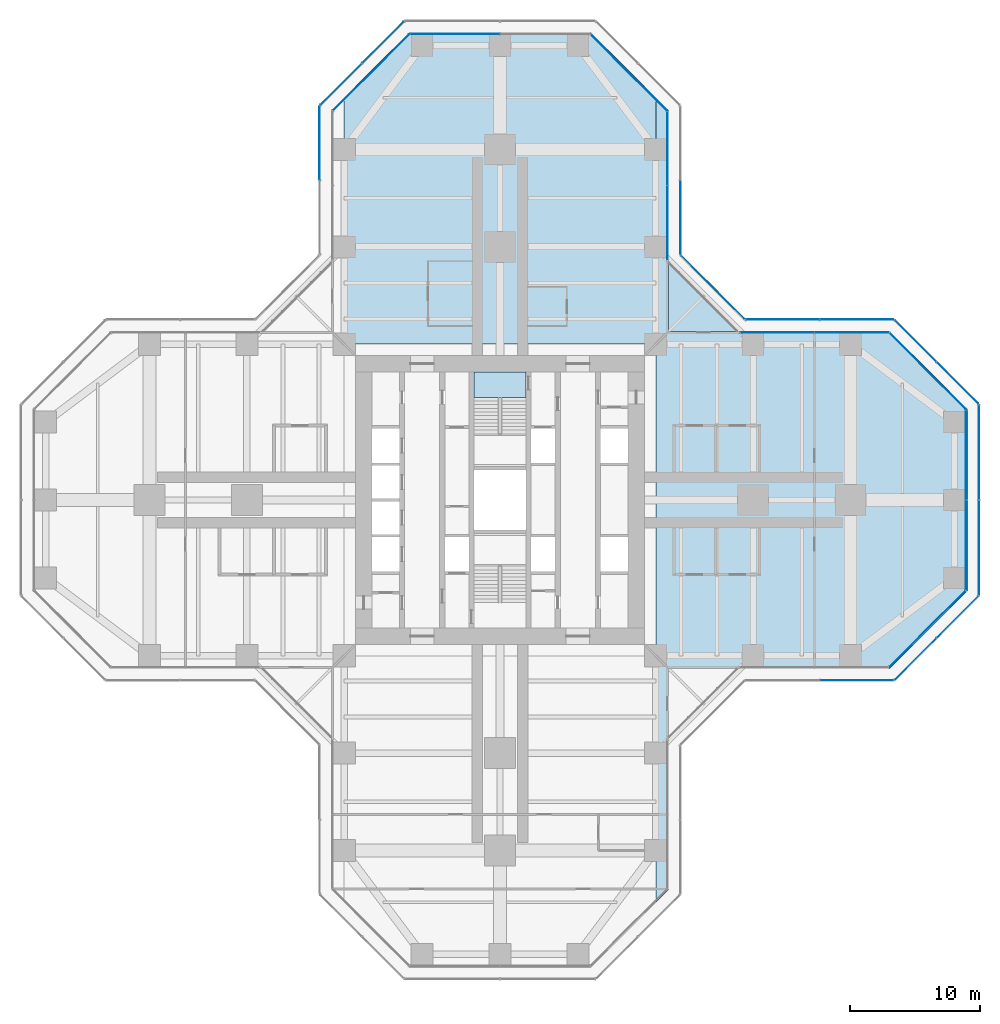
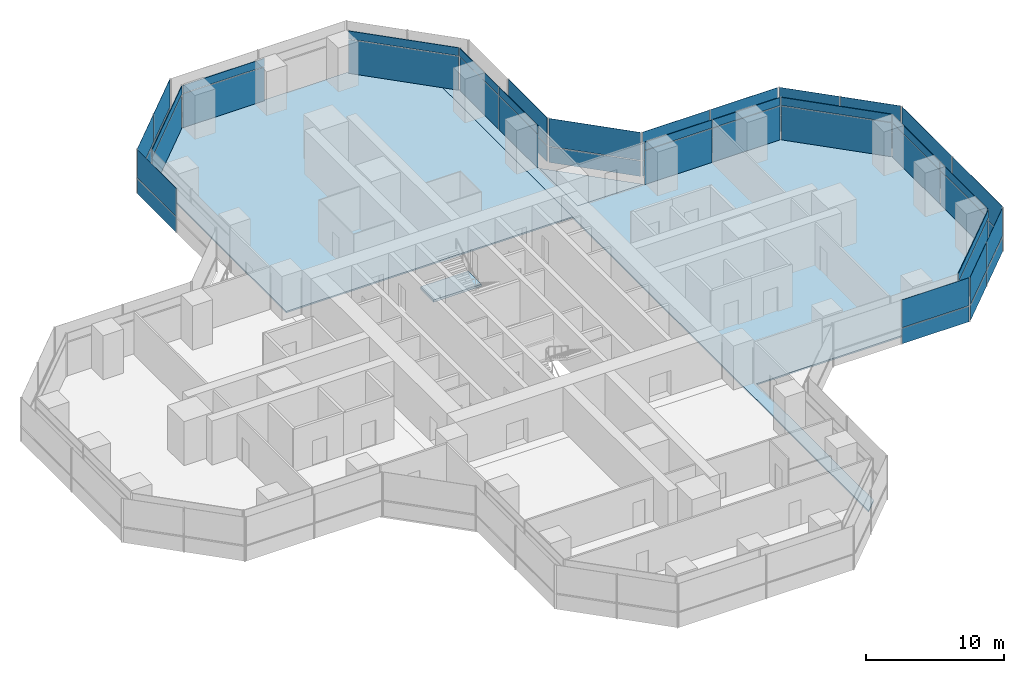
# One storey, part 16 of 22: 50 plates, 4 slabs, 18 elements without a shape of their own.
"""IFC4 building model written with IfcOpenShell, lengths in metres."""

from ifc_helpers import new_model, si_unit, direction, frame, origin, origin_2d, place, context, subcontext, project, spatial, polyline, rectangle, outline, extrude, material, layer, layer_set, type_object, element, aggregate, save


model = new_model("IFC4")

# Units and contexts
model_context = context("Model", 3, precision=1e-05, world=origin(), true_north=direction((0.0, 1.0)))
body_context = subcontext(model_context, "Body", "Model", "MODEL_VIEW")
ifc_project = project(units=[si_unit("LENGTHUNIT", "METRE"), si_unit("AREAUNIT", "SQUARE_METRE"), si_unit("VOLUMEUNIT", "CUBIC_METRE"), si_unit("PLANEANGLEUNIT", "RADIAN"), si_unit("MASSUNIT", "GRAM", prefix="KILO")], contexts=[model_context])

# Site, building, storey
site_placement = place(None, origin())
site = spatial("IfcSite", under=ifc_project, at=site_placement, CompositionType="ELEMENT")
building_placement = place(site_placement, origin())
building = spatial("IfcBuilding", under=site, at=building_placement, Name="Mizan Broadcast Tower", CompositionType="ELEMENT")
storey_placement = place(building_placement, frame((0.0, 0.0, 55.199951171875)))
storey = spatial("IfcBuildingStorey", under=building, at=storey_placement, Name="L10", CompositionType="ELEMENT", Elevation=55.199951171875)

# Slabs
ifc_material_1 = material(Name="Concrete C32/40", Category="concrete")
ifc_layer_1 = layer(ifc_material_1, 0.1298828125)
ifc_layer_set_1 = layer_set([ifc_layer_1], Name="Concrete C32/40")
slab_type_1 = type_object("IfcSlabType", Name="COMPOSITE DECK SLAB 130", PredefinedType="FLOOR", material=ifc_layer_set_1)
slab_1_placement = place(storey_placement, frame((0.0, 0.0, -0.1298828125)))
element("IfcSlab", 1, at=slab_1_placement, inside=storey, type_object=slab_type_1, Name="Floor slab L10 east arm", PredefinedType="FLOOR", context=body_context, shape_type="SweptSolid", body=[
    extrude(outline(polyline([(12.0, -31.0), (13.0, -30.0), (13.0, -13.0), (30.0, -13.0), (36.0, -7.0), (36.0, 7.0), (30.0, 13.0), (13.0, 13.0), (13.0, 30.0), (12.0, 31.0), (12.0, -31.0)])), origin(), (0.0, 0.0, 1.0), 0.1298828125),
])
slab_2_placement = place(storey_placement, frame((0.0, 0.0, -0.1298828125)))
element("IfcSlab", 2, at=slab_2_placement, inside=storey, type_object=slab_type_1, Name="Floor slab L10 north arm", PredefinedType="FLOOR", context=body_context, shape_type="SweptSolid", body=[
    extrude(outline(polyline([(-7.0, 36.0), (-12.0, 31.0), (-12.0, 12.0), (12.0, 12.0), (12.0, 31.0), (7.0, 36.0), (-7.0, 36.0)])), origin(), (0.0, 0.0, 1.0), 0.1298828125),
])

# Curtain wall, plate
ifc_material_2 = material(Name="Aluminium framed glazing", Category="aluminium")
curtain_wall_type_1 = type_object("IfcCurtainWallType", Name="INNER SKIN LOW ZONE", PredefinedType="USERDEFINED", material=ifc_material_2)
curtain_wall_1_placement = place(storey_placement, origin())
curtain_wall_1 = element("IfcCurtainWall", 3, at=curtain_wall_1_placement, inside=storey, type_object=curtain_wall_type_1, Name="Inner skin low zone L10 E chamfer", ObjectType="INNER SKIN LOW ZONE", PredefinedType="USERDEFINED")
ifc_material_3 = material(Name="Double glazing, clear low-e", Category="glass")
ifc_layer_2 = layer(ifc_material_3, 0.028076171875)
ifc_layer_set_2 = layer_set([ifc_layer_2], Name="Double glazing, clear low-e")
plate_type_1 = type_object("IfcPlateType", Name="INNER SKIN GLAZING UNIT", PredefinedType="CURTAIN_PANEL", material=ifc_layer_set_2)
plate_1_placement = place(storey_placement, frame((32.92919921875, -9.92919921875, 0.0), z_axis=(0.0, 0.0, 1.0), x_axis=(0.707106781187, 0.707106781187, 0.0)))
plate_1 = element("IfcPlate", 4, at=plate_1_placement, type_object=plate_type_1, Name="Inner skin low zone L10 E chamfer panel 1.1", PredefinedType="CURTAIN_PANEL", context=body_context, shape_type="SweptSolid", body=[
    extrude(rectangle(XDim=8.282470703125, YDim=0.028076171875, at=origin_2d()), origin(), (0.0, 0.0, 1.0), 3.0),
])

# Curtain wall, plates
curtain_wall_2_placement = place(storey_placement, origin())
curtain_wall_2 = element("IfcCurtainWall", 5, at=curtain_wall_2_placement, inside=storey, type_object=curtain_wall_type_1, Name="Inner skin low zone L10 E end", ObjectType="INNER SKIN LOW ZONE", PredefinedType="USERDEFINED")
plate_2_placement = place(storey_placement, frame((35.89990234375, -3.46435546875, 0.0), z_axis=(0.0, 0.0, 1.0), x_axis=(0.0, 1.0, 0.0)))
plate_2 = element("IfcPlate", 6, at=plate_2_placement, type_object=plate_type_1, Name="Inner skin low zone L10 E end panel 1.1", PredefinedType="CURTAIN_PANEL", context=body_context, shape_type="SweptSolid", body=[
    extrude(rectangle(XDim=6.86865234375, YDim=0.028076171875, at=origin_2d()), origin(), (0.0, 0.0, 1.0), 3.0),
])
plate_3_placement = place(storey_placement, frame((35.89990234375, 3.46435546875, 0.0), z_axis=(0.0, 0.0, 1.0), x_axis=(0.0, 1.0, 0.0)))
plate_3 = element("IfcPlate", 7, at=plate_3_placement, type_object=plate_type_1, Name="Inner skin low zone L10 E end panel 2.1", PredefinedType="CURTAIN_PANEL", context=body_context, shape_type="SweptSolid", body=[
    extrude(rectangle(XDim=6.86865234375, YDim=0.028076171875, at=origin_2d()), origin(), (0.0, 0.0, 1.0), 3.0),
])

# Curtain wall, plate
curtain_wall_3_placement = place(storey_placement, origin())
curtain_wall_3 = element("IfcCurtainWall", 8, at=curtain_wall_3_placement, inside=storey, type_object=curtain_wall_type_1, Name="Inner skin low zone L10 E chamfer", ObjectType="INNER SKIN LOW ZONE", PredefinedType="USERDEFINED")
plate_4_placement = place(storey_placement, frame((32.92919921875, 9.92919921875, 0.0), z_axis=(0.0, 0.0, 1.0), x_axis=(-0.707106781187, 0.707106781187, 0.0)))
plate_4 = element("IfcPlate", 9, at=plate_4_placement, type_object=plate_type_1, Name="Inner skin low zone L10 E chamfer panel 1.1", PredefinedType="CURTAIN_PANEL", context=body_context, shape_type="SweptSolid", body=[
    extrude(rectangle(XDim=8.282470703125, YDim=0.028076171875, at=origin_2d()), origin(), (0.0, 0.0, 1.0), 3.0),
])

# Curtain wall, plates
curtain_wall_4_placement = place(storey_placement, origin())
curtain_wall_4 = element("IfcCurtainWall", 10, at=curtain_wall_4_placement, inside=storey, type_object=curtain_wall_type_1, Name="Inner skin low zone L10 E side", ObjectType="INNER SKIN LOW ZONE", PredefinedType="USERDEFINED")
plate_5_placement = place(storey_placement, frame((27.078857421875, 12.89990234375, 0.0), z_axis=(0.0, 0.0, 1.0), x_axis=(-1.0, 0.0, 0.0)))
plate_5 = element("IfcPlate", 11, at=plate_5_placement, type_object=plate_type_1, Name="Inner skin low zone L10 E side panel 1.1", PredefinedType="CURTAIN_PANEL", context=body_context, shape_type="SweptSolid", body=[
    extrude(rectangle(XDim=5.639404296875, YDim=0.028076171875, at=origin_2d()), origin(), (0.0, 0.0, 1.0), 3.0),
])
plate_6_placement = place(storey_placement, frame((21.379638671875, 12.89990234375, 0.0), z_axis=(0.0, 0.0, 1.0), x_axis=(-1.0, 0.0, 0.0)))
plate_6 = element("IfcPlate", 12, at=plate_6_placement, type_object=plate_type_1, Name="Inner skin low zone L10 E side panel 2.1", PredefinedType="CURTAIN_PANEL", context=body_context, shape_type="SweptSolid", body=[
    extrude(rectangle(XDim=5.639404296875, YDim=0.028076171875, at=origin_2d()), origin(), (0.0, 0.0, 1.0), 3.0),
])

curtain_wall_5_placement = place(storey_placement, origin())
curtain_wall_5 = element("IfcCurtainWall", 13, at=curtain_wall_5_placement, inside=storey, type_object=curtain_wall_type_1, Name="Inner skin low zone L10 N side", ObjectType="INNER SKIN LOW ZONE", PredefinedType="USERDEFINED")
plate_7_placement = place(storey_placement, frame((12.89990234375, 21.379638671875, 0.0), z_axis=(0.0, 0.0, 1.0), x_axis=(0.0, 1.0, 0.0)))
plate_7 = element("IfcPlate", 14, at=plate_7_placement, type_object=plate_type_1, Name="Inner skin low zone L10 N side panel 1.1", PredefinedType="CURTAIN_PANEL", context=body_context, shape_type="SweptSolid", body=[
    extrude(rectangle(XDim=5.639404296875, YDim=0.028076171875, at=origin_2d()), origin(), (0.0, 0.0, 1.0), 3.0),
])
plate_8_placement = place(storey_placement, frame((12.89990234375, 27.078857421875, 0.0), z_axis=(0.0, 0.0, 1.0), x_axis=(0.0, 1.0, 0.0)))
plate_8 = element("IfcPlate", 15, at=plate_8_placement, type_object=plate_type_1, Name="Inner skin low zone L10 N side panel 2.1", PredefinedType="CURTAIN_PANEL", context=body_context, shape_type="SweptSolid", body=[
    extrude(rectangle(XDim=5.639404296875, YDim=0.028076171875, at=origin_2d()), origin(), (0.0, 0.0, 1.0), 3.0),
])

# Curtain wall, plate
curtain_wall_6_placement = place(storey_placement, origin())
curtain_wall_6 = element("IfcCurtainWall", 16, at=curtain_wall_6_placement, inside=storey, type_object=curtain_wall_type_1, Name="Inner skin low zone L10 N chamfer", ObjectType="INNER SKIN LOW ZONE", PredefinedType="USERDEFINED")
plate_9_placement = place(storey_placement, frame((9.92919921875, 32.92919921875, 0.0), z_axis=(0.0, 0.0, 1.0), x_axis=(-0.707106781187, 0.707106781187, 0.0)))
plate_9 = element("IfcPlate", 17, at=plate_9_placement, type_object=plate_type_1, Name="Inner skin low zone L10 N chamfer panel 1.1", PredefinedType="CURTAIN_PANEL", context=body_context, shape_type="SweptSolid", body=[
    extrude(rectangle(XDim=8.282470703125, YDim=0.028076171875, at=origin_2d()), origin(), (0.0, 0.0, 1.0), 3.0),
])

curtain_wall_7_placement = place(storey_placement, origin())
curtain_wall_7 = element("IfcCurtainWall", 18, at=curtain_wall_7_placement, inside=storey, type_object=curtain_wall_type_1, Name="Inner skin low zone L10 N end", ObjectType="INNER SKIN LOW ZONE", PredefinedType="USERDEFINED")
plate_10_placement = place(storey_placement, frame((-3.46435546875, 35.89990234375, 0.0), z_axis=(0.0, 0.0, 1.0), x_axis=(-1.0, 0.0, 0.0)))
plate_10 = element("IfcPlate", 19, at=plate_10_placement, type_object=plate_type_1, Name="Inner skin low zone L10 N end panel 2.1", PredefinedType="CURTAIN_PANEL", context=body_context, shape_type="SweptSolid", body=[
    extrude(rectangle(XDim=6.86865234375, YDim=0.028076171875, at=origin_2d()), origin(), (0.0, 0.0, 1.0), 3.0),
])

curtain_wall_8_placement = place(storey_placement, origin())
curtain_wall_8 = element("IfcCurtainWall", 20, at=curtain_wall_8_placement, inside=storey, type_object=curtain_wall_type_1, Name="Inner skin low zone L10 N chamfer", ObjectType="INNER SKIN LOW ZONE", PredefinedType="USERDEFINED")
plate_11_placement = place(storey_placement, frame((-9.92919921875, 32.92919921875, 0.0), z_axis=(0.0, 0.0, 1.0), x_axis=(-0.707106781187, -0.707106781187, 0.0)))
plate_11 = element("IfcPlate", 21, at=plate_11_placement, type_object=plate_type_1, Name="Inner skin low zone L10 N chamfer panel 1.1", PredefinedType="CURTAIN_PANEL", context=body_context, shape_type="SweptSolid", body=[
    extrude(rectangle(XDim=8.282470703125, YDim=0.028076171875, at=origin_2d()), origin(), (0.0, 0.0, 1.0), 3.0),
])

# Plate
ifc_material_4 = material(Name="Insulated aluminium spandrel panel, pale anodised", Category="aluminium")
ifc_layer_3 = layer(ifc_material_4, 0.050048828125)
ifc_layer_set_3 = layer_set([ifc_layer_3], Name="Insulated aluminium spandrel panel, pale anodised")
plate_type_2 = type_object("IfcPlateType", Name="INNER SKIN SPANDREL PANEL", PredefinedType="CURTAIN_PANEL", material=ifc_layer_set_3)
plate_12_placement = place(storey_placement, frame((32.92919921875, -9.92919921875, 3.06005859375), z_axis=(0.0, 0.0, 1.0), x_axis=(0.707106781187, 0.707106781187, 0.0)))
plate_12 = element("IfcPlate", 22, at=plate_12_placement, type_object=plate_type_2, Name="Inner skin low zone L10 E chamfer panel 1.2", PredefinedType="CURTAIN_PANEL", context=body_context, shape_type="SweptSolid", body=[
    extrude(rectangle(XDim=8.282470703125, YDim=0.050048828125, at=origin_2d()), origin(), (0.0, 0.0, 1.0), 0.7099609375),
])

aggregate(curtain_wall_1, [plate_1, plate_12])

plate_13_placement = place(storey_placement, frame((35.89990234375, -3.46435546875, 3.06005859375), z_axis=(0.0, 0.0, 1.0), x_axis=(0.0, 1.0, 0.0)))
plate_13 = element("IfcPlate", 23, at=plate_13_placement, type_object=plate_type_2, Name="Inner skin low zone L10 E end panel 1.2", PredefinedType="CURTAIN_PANEL", context=body_context, shape_type="SweptSolid", body=[
    extrude(rectangle(XDim=6.86865234375, YDim=0.050048828125, at=origin_2d()), origin(), (0.0, 0.0, 1.0), 0.7099609375),
])

plate_14_placement = place(storey_placement, frame((35.89990234375, 3.46435546875, 3.06005859375), z_axis=(0.0, 0.0, 1.0), x_axis=(0.0, 1.0, 0.0)))
plate_14 = element("IfcPlate", 24, at=plate_14_placement, type_object=plate_type_2, Name="Inner skin low zone L10 E end panel 2.2", PredefinedType="CURTAIN_PANEL", context=body_context, shape_type="SweptSolid", body=[
    extrude(rectangle(XDim=6.86865234375, YDim=0.050048828125, at=origin_2d()), origin(), (0.0, 0.0, 1.0), 0.7099609375),
])

aggregate(curtain_wall_2, [plate_2, plate_13, plate_3, plate_14])

plate_15_placement = place(storey_placement, frame((32.92919921875, 9.92919921875, 3.06005859375), z_axis=(0.0, 0.0, 1.0), x_axis=(-0.707106781187, 0.707106781187, 0.0)))
plate_15 = element("IfcPlate", 25, at=plate_15_placement, type_object=plate_type_2, Name="Inner skin low zone L10 E chamfer panel 1.2", PredefinedType="CURTAIN_PANEL", context=body_context, shape_type="SweptSolid", body=[
    extrude(rectangle(XDim=8.282470703125, YDim=0.050048828125, at=origin_2d()), origin(), (0.0, 0.0, 1.0), 0.7099609375),
])

aggregate(curtain_wall_3, [plate_4, plate_15])

plate_16_placement = place(storey_placement, frame((27.078857421875, 12.89990234375, 3.06005859375), z_axis=(0.0, 0.0, 1.0), x_axis=(-1.0, 0.0, 0.0)))
plate_16 = element("IfcPlate", 26, at=plate_16_placement, type_object=plate_type_2, Name="Inner skin low zone L10 E side panel 1.2", PredefinedType="CURTAIN_PANEL", context=body_context, shape_type="SweptSolid", body=[
    extrude(rectangle(XDim=5.639404296875, YDim=0.050048828125, at=origin_2d()), origin(), (0.0, 0.0, 1.0), 0.7099609375),
])

plate_17_placement = place(storey_placement, frame((21.379638671875, 12.89990234375, 3.06005859375), z_axis=(0.0, 0.0, 1.0), x_axis=(-1.0, 0.0, 0.0)))
plate_17 = element("IfcPlate", 27, at=plate_17_placement, type_object=plate_type_2, Name="Inner skin low zone L10 E side panel 2.2", PredefinedType="CURTAIN_PANEL", context=body_context, shape_type="SweptSolid", body=[
    extrude(rectangle(XDim=5.639404296875, YDim=0.050048828125, at=origin_2d()), origin(), (0.0, 0.0, 1.0), 0.7099609375),
])

aggregate(curtain_wall_4, [plate_5, plate_16, plate_6, plate_17])

plate_18_placement = place(storey_placement, frame((12.89990234375, 21.379638671875, 3.06005859375), z_axis=(0.0, 0.0, 1.0), x_axis=(0.0, 1.0, 0.0)))
plate_18 = element("IfcPlate", 28, at=plate_18_placement, type_object=plate_type_2, Name="Inner skin low zone L10 N side panel 1.2", PredefinedType="CURTAIN_PANEL", context=body_context, shape_type="SweptSolid", body=[
    extrude(rectangle(XDim=5.639404296875, YDim=0.050048828125, at=origin_2d()), origin(), (0.0, 0.0, 1.0), 0.7099609375),
])

plate_19_placement = place(storey_placement, frame((12.89990234375, 27.078857421875, 3.06005859375), z_axis=(0.0, 0.0, 1.0), x_axis=(0.0, 1.0, 0.0)))
plate_19 = element("IfcPlate", 29, at=plate_19_placement, type_object=plate_type_2, Name="Inner skin low zone L10 N side panel 2.2", PredefinedType="CURTAIN_PANEL", context=body_context, shape_type="SweptSolid", body=[
    extrude(rectangle(XDim=5.639404296875, YDim=0.050048828125, at=origin_2d()), origin(), (0.0, 0.0, 1.0), 0.7099609375),
])

aggregate(curtain_wall_5, [plate_7, plate_18, plate_8, plate_19])

plate_20_placement = place(storey_placement, frame((9.92919921875, 32.92919921875, 3.06005859375), z_axis=(0.0, 0.0, 1.0), x_axis=(-0.707106781187, 0.707106781187, 0.0)))
plate_20 = element("IfcPlate", 30, at=plate_20_placement, type_object=plate_type_2, Name="Inner skin low zone L10 N chamfer panel 1.2", PredefinedType="CURTAIN_PANEL", context=body_context, shape_type="SweptSolid", body=[
    extrude(rectangle(XDim=8.282470703125, YDim=0.050048828125, at=origin_2d()), origin(), (0.0, 0.0, 1.0), 0.7099609375),
])

aggregate(curtain_wall_6, [plate_9, plate_20])

plate_21_placement = place(storey_placement, frame((-3.46435546875, 35.89990234375, 3.06005859375), z_axis=(0.0, 0.0, 1.0), x_axis=(-1.0, 0.0, 0.0)))
plate_21 = element("IfcPlate", 31, at=plate_21_placement, type_object=plate_type_2, Name="Inner skin low zone L10 N end panel 2.2", PredefinedType="CURTAIN_PANEL", context=body_context, shape_type="SweptSolid", body=[
    extrude(rectangle(XDim=6.86865234375, YDim=0.050048828125, at=origin_2d()), origin(), (0.0, 0.0, 1.0), 0.7099609375),
])

aggregate(curtain_wall_7, [plate_10, plate_21])

plate_22_placement = place(storey_placement, frame((-9.92919921875, 32.92919921875, 3.06005859375), z_axis=(0.0, 0.0, 1.0), x_axis=(-0.707106781187, -0.707106781187, 0.0)))
plate_22 = element("IfcPlate", 32, at=plate_22_placement, type_object=plate_type_2, Name="Inner skin low zone L10 N chamfer panel 1.2", PredefinedType="CURTAIN_PANEL", context=body_context, shape_type="SweptSolid", body=[
    extrude(rectangle(XDim=8.282470703125, YDim=0.050048828125, at=origin_2d()), origin(), (0.0, 0.0, 1.0), 0.7099609375),
])

aggregate(curtain_wall_8, [plate_11, plate_22])

# Curtain wall, plates
ifc_material_5 = material(Name="Aluminium framed glazing", Category="aluminium")
curtain_wall_type_2 = type_object("IfcCurtainWallType", Name="OUTER SKIN", PredefinedType="USERDEFINED", material=ifc_material_5)
curtain_wall_9_placement = place(storey_placement, origin())
curtain_wall_9 = element("IfcCurtainWall", 33, at=curtain_wall_9_placement, inside=storey, type_object=curtain_wall_type_2, Name="Outer skin L10 E chamfer", ObjectType="OUTER SKIN", PredefinedType="USERDEFINED")
ifc_material_6 = material(Name="Laminated clear glass", Category="glass")
ifc_layer_4 = layer(ifc_material_6, 0.02001953125)
ifc_layer_set_4 = layer_set([ifc_layer_4], Name="Laminated clear glass")
plate_type_3 = type_object("IfcPlateType", Name="OUTER SKIN CLEAR GLASS", PredefinedType="CURTAIN_PANEL", material=ifc_layer_set_4)
plate_23_placement = place(storey_placement, frame((32.018798828125, -12.254150390625, 0.0), z_axis=(0.0, 0.0, 1.0), x_axis=(0.707106781187, 0.707106781187, 0.0)))
plate_23 = element("IfcPlate", 34, at=plate_23_placement, type_object=plate_type_3, Name="Outer skin L10 E chamfer panel 1.1", PredefinedType="CURTAIN_PANEL", context=body_context, shape_type="SweptSolid", body=[
    extrude(rectangle(XDim=4.495361328125, YDim=0.02001953125, at=origin_2d()), origin(), (0.0, 0.0, 1.0), 1.3701171875),
])
plate_24_placement = place(storey_placement, frame((32.018798828125, -12.254150390625, 1.43017578125), z_axis=(0.0, 0.0, 1.0), x_axis=(0.707106781187, 0.707106781187, 0.0)))
plate_24 = element("IfcPlate", 35, at=plate_24_placement, type_object=plate_type_3, Name="Outer skin L10 E chamfer panel 1.2", PredefinedType="CURTAIN_PANEL", context=body_context, shape_type="SweptSolid", body=[
    extrude(rectangle(XDim=4.495361328125, YDim=0.02001953125, at=origin_2d()), origin(), (0.0, 0.0, 1.0), 2.469970703125),
])

curtain_wall_10_placement = place(storey_placement, origin())
curtain_wall_10 = element("IfcCurtainWall", 36, at=curtain_wall_10_placement, inside=storey, type_object=curtain_wall_type_2, Name="Outer skin L10 E end", ObjectType="OUTER SKIN", PredefinedType="USERDEFINED")
plate_25_placement = place(storey_placement, frame((36.89990234375, -3.66650390625, 0.0), z_axis=(0.0, 0.0, 1.0), x_axis=(0.0, 1.0, 0.0)))
plate_25 = element("IfcPlate", 37, at=plate_25_placement, type_object=plate_type_3, Name="Outer skin L10 E end panel 1.1", PredefinedType="CURTAIN_PANEL", context=body_context, shape_type="SweptSolid", body=[
    extrude(rectangle(XDim=7.252685546875, YDim=0.02001953125, at=origin_2d()), origin(), (0.0, 0.0, 1.0), 1.3701171875),
])
plate_26_placement = place(storey_placement, frame((36.89990234375, -3.66650390625, 1.43017578125), z_axis=(0.0, 0.0, 1.0), x_axis=(0.0, 1.0, 0.0)))
plate_26 = element("IfcPlate", 38, at=plate_26_placement, type_object=plate_type_3, Name="Outer skin L10 E end panel 1.2", PredefinedType="CURTAIN_PANEL", context=body_context, shape_type="SweptSolid", body=[
    extrude(rectangle(XDim=7.252685546875, YDim=0.02001953125, at=origin_2d()), origin(), (0.0, 0.0, 1.0), 2.469970703125),
])

curtain_wall_11_placement = place(storey_placement, origin())
curtain_wall_11 = element("IfcCurtainWall", 39, at=curtain_wall_11_placement, inside=storey, type_object=curtain_wall_type_2, Name="Outer skin L10 E chamfer", ObjectType="OUTER SKIN", PredefinedType="USERDEFINED")
plate_27_placement = place(storey_placement, frame((35.254150390625, 9.018798828125, 0.0), z_axis=(0.0, 0.0, 1.0), x_axis=(-0.707106781187, 0.707106781187, 0.0)))
plate_27 = element("IfcPlate", 40, at=plate_27_placement, type_object=plate_type_3, Name="Outer skin L10 E chamfer panel 1.1", PredefinedType="CURTAIN_PANEL", context=body_context, shape_type="SweptSolid", body=[
    extrude(rectangle(XDim=4.495361328125, YDim=0.02001953125, at=origin_2d()), origin(), (0.0, 0.0, 1.0), 1.3701171875),
])
plate_28_placement = place(storey_placement, frame((35.254150390625, 9.018798828125, 1.43017578125), z_axis=(0.0, 0.0, 1.0), x_axis=(-0.707106781187, 0.707106781187, 0.0)))
plate_28 = element("IfcPlate", 41, at=plate_28_placement, type_object=plate_type_3, Name="Outer skin L10 E chamfer panel 1.2", PredefinedType="CURTAIN_PANEL", context=body_context, shape_type="SweptSolid", body=[
    extrude(rectangle(XDim=4.495361328125, YDim=0.02001953125, at=origin_2d()), origin(), (0.0, 0.0, 1.0), 2.469970703125),
])

curtain_wall_12_placement = place(storey_placement, origin())
curtain_wall_12 = element("IfcCurtainWall", 42, at=curtain_wall_12_placement, inside=storey, type_object=curtain_wall_type_2, Name="Outer skin L10 E side", ObjectType="OUTER SKIN", PredefinedType="USERDEFINED")
plate_29_placement = place(storey_placement, frame((27.477783203125, 13.89990234375, 0.0), z_axis=(0.0, 0.0, 1.0), x_axis=(-1.0, 0.0, 0.0)))
plate_29 = element("IfcPlate", 43, at=plate_29_placement, type_object=plate_type_3, Name="Outer skin L10 E side panel 1.1", PredefinedType="CURTAIN_PANEL", context=body_context, shape_type="SweptSolid", body=[
    extrude(rectangle(XDim=5.6298828125, YDim=0.02001953125, at=origin_2d()), origin(), (0.0, 0.0, 1.0), 1.3701171875),
])
plate_30_placement = place(storey_placement, frame((27.477783203125, 13.89990234375, 1.43017578125), z_axis=(0.0, 0.0, 1.0), x_axis=(-1.0, 0.0, 0.0)))
plate_30 = element("IfcPlate", 44, at=plate_30_placement, type_object=plate_type_3, Name="Outer skin L10 E side panel 1.2", PredefinedType="CURTAIN_PANEL", context=body_context, shape_type="SweptSolid", body=[
    extrude(rectangle(XDim=5.6298828125, YDim=0.02001953125, at=origin_2d()), origin(), (0.0, 0.0, 1.0), 2.469970703125),
])
plate_31_placement = place(storey_placement, frame((21.767822265625, 13.89990234375, 0.0), z_axis=(0.0, 0.0, 1.0), x_axis=(-1.0, 0.0, 0.0)))
plate_31 = element("IfcPlate", 45, at=plate_31_placement, type_object=plate_type_3, Name="Outer skin L10 E side panel 2.1", PredefinedType="CURTAIN_PANEL", context=body_context, shape_type="SweptSolid", body=[
    extrude(rectangle(XDim=5.6298828125, YDim=0.02001953125, at=origin_2d()), origin(), (0.0, 0.0, 1.0), 1.3701171875),
])
plate_32_placement = place(storey_placement, frame((21.767822265625, 13.89990234375, 1.43017578125), z_axis=(0.0, 0.0, 1.0), x_axis=(-1.0, 0.0, 0.0)))
plate_32 = element("IfcPlate", 46, at=plate_32_placement, type_object=plate_type_3, Name="Outer skin L10 E side panel 2.2", PredefinedType="CURTAIN_PANEL", context=body_context, shape_type="SweptSolid", body=[
    extrude(rectangle(XDim=5.6298828125, YDim=0.02001953125, at=origin_2d()), origin(), (0.0, 0.0, 1.0), 2.469970703125),
])
aggregate(curtain_wall_12, [plate_29, plate_30, plate_31, plate_32])

curtain_wall_13_placement = place(storey_placement, origin())
curtain_wall_13 = element("IfcCurtainWall", 47, at=curtain_wall_13_placement, inside=storey, type_object=curtain_wall_type_2, Name="Outer skin L10 E chamfer", ObjectType="OUTER SKIN", PredefinedType="USERDEFINED")
plate_33_placement = place(storey_placement, frame((16.386474609375, 16.386474609375, 0.0), z_axis=(0.0, 0.0, 1.0), x_axis=(-0.707106781187, 0.707106781187, 0.0)))
plate_33 = element("IfcPlate", 48, at=plate_33_placement, type_object=plate_type_3, Name="Outer skin L10 E chamfer panel 1.1", PredefinedType="CURTAIN_PANEL", context=body_context, shape_type="SweptSolid", body=[
    extrude(rectangle(XDim=6.87255859375, YDim=0.02001953125, at=origin_2d()), origin(), (0.0, 0.0, 1.0), 1.3701171875),
])
plate_34_placement = place(storey_placement, frame((16.386474609375, 16.386474609375, 1.43017578125), z_axis=(0.0, 0.0, 1.0), x_axis=(-0.707106781187, 0.707106781187, 0.0)))
plate_34 = element("IfcPlate", 49, at=plate_34_placement, type_object=plate_type_3, Name="Outer skin L10 E chamfer panel 1.2", PredefinedType="CURTAIN_PANEL", context=body_context, shape_type="SweptSolid", body=[
    extrude(rectangle(XDim=6.87255859375, YDim=0.02001953125, at=origin_2d()), origin(), (0.0, 0.0, 1.0), 2.469970703125),
])
aggregate(curtain_wall_13, [plate_33, plate_34])

curtain_wall_14_placement = place(storey_placement, origin())
curtain_wall_14 = element("IfcCurtainWall", 50, at=curtain_wall_14_placement, inside=storey, type_object=curtain_wall_type_2, Name="Outer skin L10 N side", ObjectType="OUTER SKIN", PredefinedType="USERDEFINED")
plate_35_placement = place(storey_placement, frame((13.89990234375, 21.767822265625, 0.0), z_axis=(0.0, 0.0, 1.0), x_axis=(0.0, 1.0, 0.0)))
plate_35 = element("IfcPlate", 51, at=plate_35_placement, type_object=plate_type_3, Name="Outer skin L10 N side panel 1.1", PredefinedType="CURTAIN_PANEL", context=body_context, shape_type="SweptSolid", body=[
    extrude(rectangle(XDim=5.6298828125, YDim=0.02001953125, at=origin_2d()), origin(), (0.0, 0.0, 1.0), 1.3701171875),
])
plate_36_placement = place(storey_placement, frame((13.89990234375, 21.767822265625, 1.43017578125), z_axis=(0.0, 0.0, 1.0), x_axis=(0.0, 1.0, 0.0)))
plate_36 = element("IfcPlate", 52, at=plate_36_placement, type_object=plate_type_3, Name="Outer skin L10 N side panel 1.2", PredefinedType="CURTAIN_PANEL", context=body_context, shape_type="SweptSolid", body=[
    extrude(rectangle(XDim=5.6298828125, YDim=0.02001953125, at=origin_2d()), origin(), (0.0, 0.0, 1.0), 2.469970703125),
])
aggregate(curtain_wall_14, [plate_35, plate_36])

curtain_wall_15_placement = place(storey_placement, origin())
curtain_wall_15 = element("IfcCurtainWall", 53, at=curtain_wall_15_placement, inside=storey, type_object=curtain_wall_type_2, Name="Outer skin L10 N chamfer", ObjectType="OUTER SKIN", PredefinedType="USERDEFINED")
plate_37_placement = place(storey_placement, frame((-9.018798828125, 35.254150390625, 0.0), z_axis=(0.0, 0.0, 1.0), x_axis=(-0.707106781187, -0.707106781187, 0.0)))
plate_37 = element("IfcPlate", 54, at=plate_37_placement, type_object=plate_type_3, Name="Outer skin L10 N chamfer panel 1.1", PredefinedType="CURTAIN_PANEL", context=body_context, shape_type="SweptSolid", body=[
    extrude(rectangle(XDim=4.495361328125, YDim=0.02001953125, at=origin_2d()), origin(), (0.0, 0.0, 1.0), 1.3701171875),
])
plate_38_placement = place(storey_placement, frame((-9.018798828125, 35.254150390625, 1.43017578125), z_axis=(0.0, 0.0, 1.0), x_axis=(-0.707106781187, -0.707106781187, 0.0)))
plate_38 = element("IfcPlate", 55, at=plate_38_placement, type_object=plate_type_3, Name="Outer skin L10 N chamfer panel 1.2", PredefinedType="CURTAIN_PANEL", context=body_context, shape_type="SweptSolid", body=[
    extrude(rectangle(XDim=4.495361328125, YDim=0.02001953125, at=origin_2d()), origin(), (0.0, 0.0, 1.0), 2.469970703125),
])

curtain_wall_16_placement = place(storey_placement, origin())
curtain_wall_16 = element("IfcCurtainWall", 56, at=curtain_wall_16_placement, inside=storey, type_object=curtain_wall_type_2, Name="Outer skin L10 N side", ObjectType="OUTER SKIN", PredefinedType="USERDEFINED")
plate_39_placement = place(storey_placement, frame((-13.89990234375, 27.477783203125, 0.0), z_axis=(0.0, 0.0, 1.0), x_axis=(0.0, -1.0, 0.0)))
plate_39 = element("IfcPlate", 57, at=plate_39_placement, type_object=plate_type_3, Name="Outer skin L10 N side panel 1.1", PredefinedType="CURTAIN_PANEL", context=body_context, shape_type="SweptSolid", body=[
    extrude(rectangle(XDim=5.6298828125, YDim=0.02001953125, at=origin_2d()), origin(), (0.0, 0.0, 1.0), 1.3701171875),
])
plate_40_placement = place(storey_placement, frame((-13.89990234375, 27.477783203125, 1.43017578125), z_axis=(0.0, 0.0, 1.0), x_axis=(0.0, -1.0, 0.0)))
plate_40 = element("IfcPlate", 58, at=plate_40_placement, type_object=plate_type_3, Name="Outer skin L10 N side panel 1.2", PredefinedType="CURTAIN_PANEL", context=body_context, shape_type="SweptSolid", body=[
    extrude(rectangle(XDim=5.6298828125, YDim=0.02001953125, at=origin_2d()), origin(), (0.0, 0.0, 1.0), 2.469970703125),
])
aggregate(curtain_wall_16, [plate_39, plate_40])

# Plate
ifc_material_7 = material(Name="Perforated aluminium, pale anodised", Category="aluminium")
ifc_layer_5 = layer(ifc_material_7, 0.011962890625)
ifc_layer_set_5 = layer_set([ifc_layer_5], Name="Perforated aluminium, pale anodised")
plate_type_4 = type_object("IfcPlateType", Name="OUTER SKIN PERFORATED SCREEN", PredefinedType="USERDEFINED", material=ifc_layer_set_5)
plate_41_placement = place(storey_placement, frame((35.254150390625, -9.018798828125, 0.0), z_axis=(0.0, 0.0, 1.0), x_axis=(0.707106781187, 0.707106781187, 0.0)))
plate_41 = element("IfcPlate", 59, at=plate_41_placement, type_object=plate_type_4, Name="Outer skin L10 E chamfer panel 2.1", ObjectType="SCREEN", PredefinedType="USERDEFINED", context=body_context, shape_type="SweptSolid", body=[
    extrude(rectangle(XDim=4.495361328125, YDim=0.011962890625, at=origin_2d()), origin(), (0.0, 0.0, 1.0), 1.3701171875),
])

plate_42_placement = place(storey_placement, frame((35.254150390625, -9.018798828125, 1.43017578125), z_axis=(0.0, 0.0, 1.0), x_axis=(0.707106781187, 0.707106781187, 0.0)))
plate_42 = element("IfcPlate", 60, at=plate_42_placement, type_object=plate_type_4, Name="Outer skin L10 E chamfer panel 2.2", ObjectType="SCREEN", PredefinedType="USERDEFINED", context=body_context, shape_type="SweptSolid", body=[
    extrude(rectangle(XDim=4.495361328125, YDim=0.011962890625, at=origin_2d()), origin(), (0.0, 0.0, 1.0), 2.469970703125),
])

aggregate(curtain_wall_9, [plate_23, plate_24, plate_41, plate_42])

plate_43_placement = place(storey_placement, frame((36.89990234375, 3.66650390625, 0.0), z_axis=(0.0, 0.0, 1.0), x_axis=(0.0, 1.0, 0.0)))
plate_43 = element("IfcPlate", 61, at=plate_43_placement, type_object=plate_type_4, Name="Outer skin L10 E end panel 2.1", ObjectType="SCREEN", PredefinedType="USERDEFINED", context=body_context, shape_type="SweptSolid", body=[
    extrude(rectangle(XDim=7.252685546875, YDim=0.011962890625, at=origin_2d()), origin(), (0.0, 0.0, 1.0), 1.3701171875),
])

plate_44_placement = place(storey_placement, frame((36.89990234375, 3.66650390625, 1.43017578125), z_axis=(0.0, 0.0, 1.0), x_axis=(0.0, 1.0, 0.0)))
plate_44 = element("IfcPlate", 62, at=plate_44_placement, type_object=plate_type_4, Name="Outer skin L10 E end panel 2.2", ObjectType="SCREEN", PredefinedType="USERDEFINED", context=body_context, shape_type="SweptSolid", body=[
    extrude(rectangle(XDim=7.252685546875, YDim=0.011962890625, at=origin_2d()), origin(), (0.0, 0.0, 1.0), 2.469970703125),
])

aggregate(curtain_wall_10, [plate_25, plate_26, plate_43, plate_44])

plate_45_placement = place(storey_placement, frame((32.018798828125, 12.254150390625, 0.0), z_axis=(0.0, 0.0, 1.0), x_axis=(-0.707106781187, 0.707106781187, 0.0)))
plate_45 = element("IfcPlate", 63, at=plate_45_placement, type_object=plate_type_4, Name="Outer skin L10 E chamfer panel 2.1", ObjectType="SCREEN", PredefinedType="USERDEFINED", context=body_context, shape_type="SweptSolid", body=[
    extrude(rectangle(XDim=4.495361328125, YDim=0.011962890625, at=origin_2d()), origin(), (0.0, 0.0, 1.0), 1.3701171875),
])

plate_46_placement = place(storey_placement, frame((32.018798828125, 12.254150390625, 1.43017578125), z_axis=(0.0, 0.0, 1.0), x_axis=(-0.707106781187, 0.707106781187, 0.0)))
plate_46 = element("IfcPlate", 64, at=plate_46_placement, type_object=plate_type_4, Name="Outer skin L10 E chamfer panel 2.2", ObjectType="SCREEN", PredefinedType="USERDEFINED", context=body_context, shape_type="SweptSolid", body=[
    extrude(rectangle(XDim=4.495361328125, YDim=0.011962890625, at=origin_2d()), origin(), (0.0, 0.0, 1.0), 2.469970703125),
])

aggregate(curtain_wall_11, [plate_27, plate_28, plate_45, plate_46])

plate_47_placement = place(storey_placement, frame((-12.254150390625, 32.018798828125, 0.0), z_axis=(0.0, 0.0, 1.0), x_axis=(-0.707106781187, -0.707106781187, 0.0)))
plate_47 = element("IfcPlate", 65, at=plate_47_placement, type_object=plate_type_4, Name="Outer skin L10 N chamfer panel 2.1", ObjectType="SCREEN", PredefinedType="USERDEFINED", context=body_context, shape_type="SweptSolid", body=[
    extrude(rectangle(XDim=4.495361328125, YDim=0.011962890625, at=origin_2d()), origin(), (0.0, 0.0, 1.0), 1.3701171875),
])

plate_48_placement = place(storey_placement, frame((-12.254150390625, 32.018798828125, 1.43017578125), z_axis=(0.0, 0.0, 1.0), x_axis=(-0.707106781187, -0.707106781187, 0.0)))
plate_48 = element("IfcPlate", 66, at=plate_48_placement, type_object=plate_type_4, Name="Outer skin L10 N chamfer panel 2.2", ObjectType="SCREEN", PredefinedType="USERDEFINED", context=body_context, shape_type="SweptSolid", body=[
    extrude(rectangle(XDim=4.495361328125, YDim=0.011962890625, at=origin_2d()), origin(), (0.0, 0.0, 1.0), 2.469970703125),
])

aggregate(curtain_wall_15, [plate_37, plate_38, plate_47, plate_48])

# Curtain wall, plates
curtain_wall_17_placement = place(storey_placement, origin())
curtain_wall_17 = element("IfcCurtainWall", 67, at=curtain_wall_17_placement, inside=storey, type_object=curtain_wall_type_2, Name="Outer skin L10 E side", ObjectType="OUTER SKIN", PredefinedType="USERDEFINED")
plate_49_placement = place(storey_placement, frame((27.477783203125, -13.89990234375, 0.0), z_axis=(0.0, 0.0, 1.0), x_axis=(1.0, 0.0, 0.0)))
plate_49 = element("IfcPlate", 68, at=plate_49_placement, type_object=plate_type_4, Name="Outer skin L10 E side panel 2.1", ObjectType="SCREEN", PredefinedType="USERDEFINED", context=body_context, shape_type="SweptSolid", body=[
    extrude(rectangle(XDim=5.6298828125, YDim=0.011962890625, at=origin_2d()), origin(), (0.0, 0.0, 1.0), 1.3701171875),
])
plate_50_placement = place(storey_placement, frame((27.477783203125, -13.89990234375, 1.43017578125), z_axis=(0.0, 0.0, 1.0), x_axis=(1.0, 0.0, 0.0)))
plate_50 = element("IfcPlate", 69, at=plate_50_placement, type_object=plate_type_4, Name="Outer skin L10 E side panel 2.2", ObjectType="SCREEN", PredefinedType="USERDEFINED", context=body_context, shape_type="SweptSolid", body=[
    extrude(rectangle(XDim=5.6298828125, YDim=0.011962890625, at=origin_2d()), origin(), (0.0, 0.0, 1.0), 2.469970703125),
])
aggregate(curtain_wall_17, [plate_49, plate_50])

# Stair, slab
ifc_material_8 = material(Name="Concrete C40/50", Category="concrete")
stair_type = type_object("IfcStairType", Name="EXIT STAIR", PredefinedType="HALF_TURN_STAIR", material=ifc_material_8)
stair_placement = place(storey_placement, origin())
stair = element("IfcStair", 70, at=stair_placement, inside=storey, type_object=stair_type, Name="Stair B L10", PredefinedType="HALF_TURN_STAIR")
ifc_material_9 = material(Name="Concrete C40/50", Category="concrete")
ifc_layer_6 = layer(ifc_material_9, 0.199951171875)
ifc_layer_set_6 = layer_set([ifc_layer_6], Name="Concrete C40/50")
slab_type_2 = type_object("IfcSlabType", Name="STAIR LANDING 200", PredefinedType="LANDING", material=ifc_layer_set_6)
slab_3_placement = place(storey_placement, frame((0.0, 0.0, -0.199951171875)))
slab_3 = element("IfcSlab", 71, at=slab_3_placement, type_object=slab_type_2, Name="B landing 1", PredefinedType="LANDING", context=body_context, shape_type="SweptSolid", body=[
    extrude(outline(polyline([(2.0, 9.85009765625), (2.0, 7.89990234375), (-2.0, 7.89990234375), (-2.0, 9.85009765625), (2.0, 9.85009765625)])), origin(), (0.0, 0.0, 1.0), 0.199951171875),
])
aggregate(stair, [slab_3])

# Slab
ifc_material_10 = material(Name="Concrete C32/40", Category="concrete")
ifc_layer_7 = layer(ifc_material_10, 0.1298828125)
ifc_layer_set_7 = layer_set([ifc_layer_7], Name="Concrete C32/40")
slab_type_3 = type_object("IfcSlabType", Name="WINTER GARDEN SLAB 130", PredefinedType="FLOOR", material=ifc_layer_set_7)
slab_4_placement = place(storey_placement, frame((0.0, 0.0, -0.1298828125)))
element("IfcSlab", 72, at=slab_4_placement, inside=storey, type_object=slab_type_3, Name="Winter garden slab L10 E", PredefinedType="FLOOR", context=body_context, shape_type="SweptSolid", body=[
    extrude(outline(polyline([(13.0, 13.0), (18.5, 13.0), (13.0, 18.5), (13.0, 13.0)])), origin(), (0.0, 0.0, 1.0), 0.1298828125),
])

save(model, "model.ifc")
